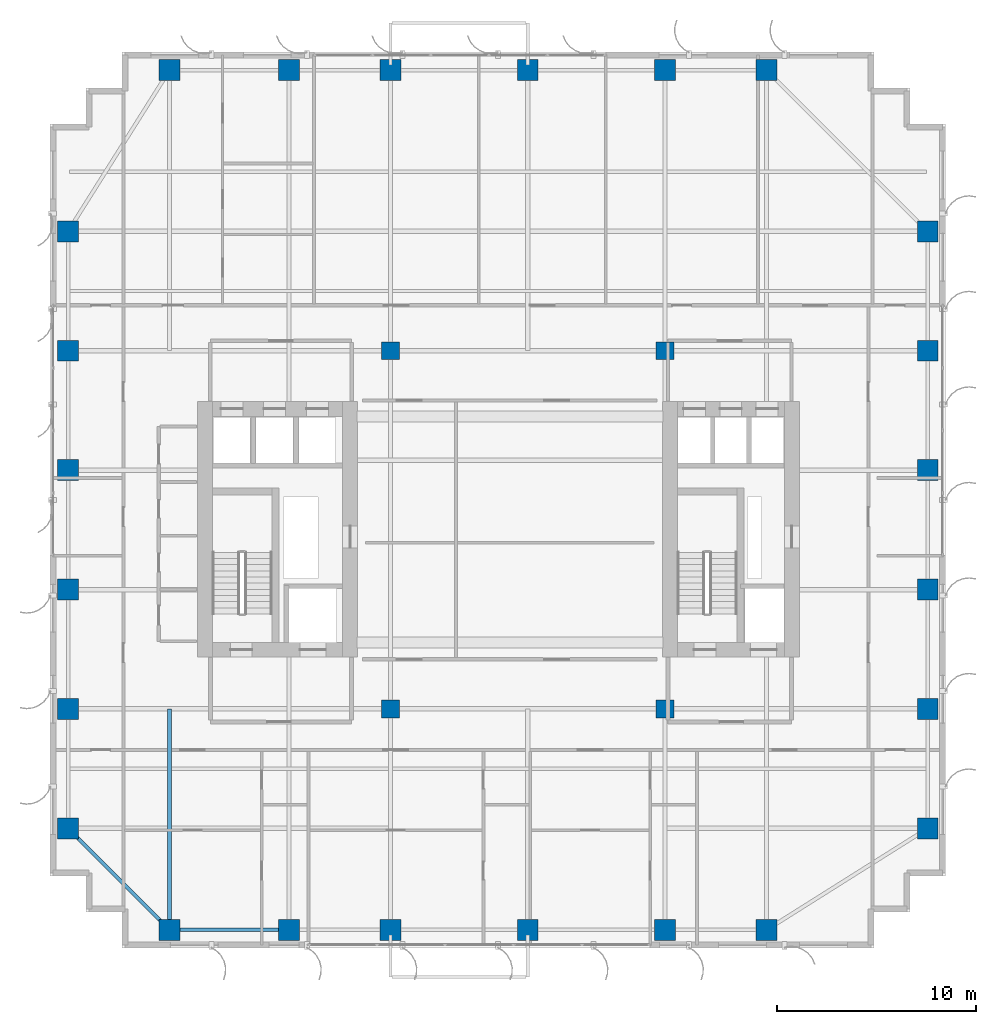
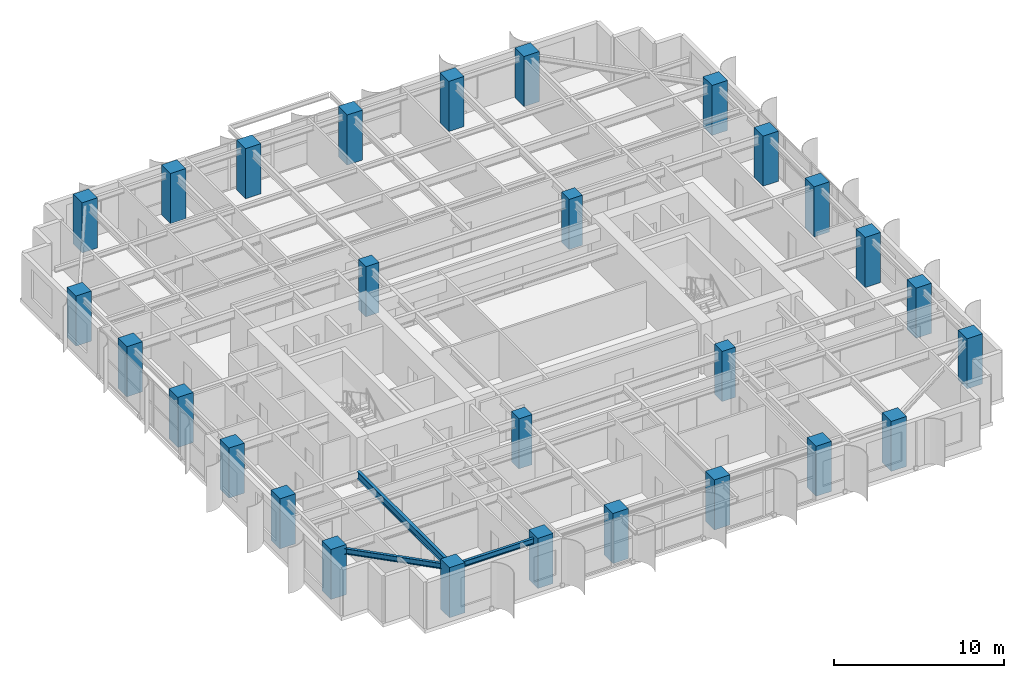
# One storey, part 1 of 27: 28 columns, 3 beams.
"""IFC4 building model written with IfcOpenShell, lengths in metres."""

from ifc_helpers import new_model, si_unit, direction, frame, origin, origin_2d, place, context, subcontext, project, spatial, rectangle, i_section, extrude, source, transform, mapped, material, material_profile, profile_set, type_object, element, save


model = new_model("IFC4")

# Units and contexts
model_context = context("Model", 3, precision=1e-05, world=origin(), true_north=direction((0.0, 1.0)))
body_context = subcontext(model_context, "Body", "Model", "MODEL_VIEW")
ifc_project = project(units=[si_unit("LENGTHUNIT", "METRE"), si_unit("AREAUNIT", "SQUARE_METRE"), si_unit("VOLUMEUNIT", "CUBIC_METRE"), si_unit("PLANEANGLEUNIT", "RADIAN"), si_unit("MASSUNIT", "GRAM", prefix="KILO")], contexts=[model_context])

# Site, building, storey
site_placement = place(None, origin())
site = spatial("IfcSite", under=ifc_project, at=site_placement, CompositionType="ELEMENT")
building_placement = place(site_placement, origin())
building = spatial("IfcBuilding", under=site, at=building_placement, Name="Khoralis Quay Care Tower", CompositionType="ELEMENT")
storey_placement = place(building_placement, frame((0.0, 0.0, 105.300048828125)))
storey = spatial("IfcBuildingStorey", under=building, at=storey_placement, Name="L27", CompositionType="ELEMENT", Elevation=105.300048828125)

# Columns
ifc_material_1 = material(Name="Concrete C65/80", Category="concrete")
ifc_material_profile_1 = material_profile(ifc_material_1, rectangle(XDim=1.050048828125, YDim=1.050048828125, at=origin_2d()), Name="Concrete C65/80")
ifc_profile_set_1 = profile_set([ifc_material_profile_1], Name="Concrete C65/80")
column_type_1 = type_object("IfcColumnType", Name="COL-C1050", PredefinedType="COLUMN", material=ifc_profile_set_1)
shared_shape_1 = source(origin(), body_context, "Body", "SweptSolid", [
    extrude(rectangle(XDim=1.050048828125, YDim=1.050048828125, at=origin_2d()), origin(), (0.0, 0.0, 1.0), 3.599853515625),
])
for number, where, z_axis, x_axis, name in (
    (1, (6.0, 0.89990234375, 0.0), (0.0, 0.0, 1.0), (1.0, 0.0, 0.0), "COL-TWR-L27-01"),
    (2, (6.0, 44.10009765625, 0.0), (0.0, 0.0, 1.0), (1.0, 0.0, 0.0), "COL-TWR-L27-02"),
    (3, (12.0, 0.89990234375, 0.0), (0.0, 0.0, 1.0), (1.0, 0.0, 0.0), "COL-TWR-L27-03"),
    (4, (12.0, 44.10009765625, 0.0), (0.0, 0.0, 1.0), (1.0, 0.0, 0.0), "COL-TWR-L27-04"),
    (5, (17.10009765625, 0.89990234375, 0.0), (0.0, 0.0, 1.0), (1.0, 0.0, 0.0), "COL-TWR-L27-05"),
    (6, (17.10009765625, 44.10009765625, 0.0), (0.0, 0.0, 1.0), (1.0, 0.0, 0.0), "COL-TWR-L27-06"),
    (7, (24.0, 0.89990234375, 0.0), (0.0, 0.0, 1.0), (1.0, 0.0, 0.0), "COL-TWR-L27-07"),
    (8, (24.0, 44.10009765625, 0.0), (0.0, 0.0, 1.0), (1.0, 0.0, 0.0), "COL-TWR-L27-08"),
    (9, (30.89990234375, 0.89990234375, 0.0), (0.0, 0.0, 1.0), (1.0, 0.0, 0.0), "COL-TWR-L27-09"),
    (10, (30.89990234375, 44.10009765625, 0.0), (0.0, 0.0, 1.0), (1.0, 0.0, 0.0), "COL-TWR-L27-10"),
    (11, (36.0, 0.89990234375, 0.0), (0.0, 0.0, 1.0), (1.0, 0.0, 0.0), "COL-TWR-L27-11"),
    (12, (36.0, 44.10009765625, 0.0), (0.0, 0.0, 1.0), (1.0, 0.0, 0.0), "COL-TWR-L27-12"),
    (13, (0.89990234375, 6.0, 0.0), (0.0, 0.0, 1.0), (1.0, 0.0, 0.0), "COL-TWR-L27-13"),
    (14, (44.10009765625, 6.0, 0.0), (0.0, 0.0, 1.0), (1.0, 0.0, 0.0), "COL-TWR-L27-14"),
    (15, (0.89990234375, 12.0, 0.0), (0.0, 0.0, 1.0), (1.0, 0.0, 0.0), "COL-TWR-L27-15"),
    (16, (44.10009765625, 12.0, 0.0), (0.0, 0.0, 1.0), (1.0, 0.0, 0.0), "COL-TWR-L27-16"),
    (17, (0.89990234375, 18.0, 0.0), (0.0, 0.0, 1.0), (1.0, 0.0, 0.0), "COL-TWR-L27-17"),
    (18, (44.10009765625, 18.0, 0.0), (0.0, 0.0, 1.0), (1.0, 0.0, 0.0), "COL-TWR-L27-18"),
    (19, (0.89990234375, 24.0, 0.0), (0.0, 0.0, 1.0), (1.0, 0.0, 0.0), "COL-TWR-L27-19"),
    (20, (44.10009765625, 24.0, 0.0), (0.0, 0.0, 1.0), (1.0, 0.0, 0.0), "COL-TWR-L27-20"),
    (21, (0.89990234375, 30.0, 0.0), (0.0, 0.0, 1.0), (1.0, 0.0, 0.0), "COL-TWR-L27-21"),
    (22, (44.10009765625, 30.0, 0.0), (0.0, 0.0, 1.0), (1.0, 0.0, 0.0), "COL-TWR-L27-22"),
    (23, (0.89990234375, 36.0, 0.0), (0.0, 0.0, 1.0), (1.0, 0.0, 0.0), "COL-TWR-L27-23"),
    (24, (44.10009765625, 36.0, 0.0), (0.0, 0.0, 1.0), (1.0, 0.0, 0.0), "COL-TWR-L27-24"),
):
    element("IfcColumn", number, at=place(storey_placement, frame(where, z_axis=z_axis, x_axis=x_axis)), inside=storey, type_object=column_type_1, Name=name, PredefinedType="COLUMN", context=body_context, shape_type="MappedRepresentation", body=[
        mapped(shared_shape_1, transform((0.0, 0.0, 0.0), scale=1.0)),
    ])
ifc_material_profile_2 = material_profile(ifc_material_1, rectangle(XDim=0.89990234375, YDim=0.89990234375, at=origin_2d()), Name="Concrete C65/80")
ifc_profile_set_2 = profile_set([ifc_material_profile_2], Name="Concrete C65/80")
column_type_2 = type_object("IfcColumnType", Name="COL-C900", PredefinedType="COLUMN", material=ifc_profile_set_2)
shared_shape_2 = source(origin(), body_context, "Body", "SweptSolid", [
    extrude(rectangle(XDim=0.89990234375, YDim=0.89990234375, at=origin_2d()), origin(), (0.0, 0.0, 1.0), 3.599853515625),
])
for number, where, z_axis, x_axis, name in (
    (25, (17.10009765625, 12.0, 0.0), (0.0, 0.0, 1.0), (1.0, 0.0, 0.0), "COL-TWR-L27-25"),
    (26, (17.10009765625, 30.0, 0.0), (0.0, 0.0, 1.0), (1.0, 0.0, 0.0), "COL-TWR-L27-26"),
    (27, (30.89990234375, 12.0, 0.0), (0.0, 0.0, 1.0), (1.0, 0.0, 0.0), "COL-TWR-L27-27"),
    (28, (30.89990234375, 30.0, 0.0), (0.0, 0.0, 1.0), (1.0, 0.0, 0.0), "COL-TWR-L27-28"),
):
    element("IfcColumn", number, at=place(storey_placement, frame(where, z_axis=z_axis, x_axis=x_axis)), inside=storey, type_object=column_type_2, Name=name, PredefinedType="COLUMN", context=body_context, shape_type="MappedRepresentation", body=[
        mapped(shared_shape_2, transform((0.0, 0.0, 0.0), scale=1.0)),
    ])

# Beams
ifc_material_2 = material(Name="Steel S355", Category="steel")
ifc_material_profile_3 = material_profile(ifc_material_2, i_section(OverallWidth=0.179931640625, OverallDepth=0.39990234375, WebThickness=0.008544921875, FlangeThickness=0.013427734375, FilletRadius=0.02099609375, at=origin_2d()), Name="Steel S355")
ifc_profile_set_3 = profile_set([ifc_material_profile_3], Name="Steel S355")
beam_type_1 = type_object("IfcBeamType", Name="BM-IPE400", PredefinedType="SPANDREL", material=ifc_profile_set_3)
shared_shape_3 = source(origin(), body_context, "Body", "SweptSolid", [
    extrude(i_section(OverallWidth=0.179931640625, OverallDepth=0.39990234375, WebThickness=0.008544921875, FlangeThickness=0.013427734375, FilletRadius=0.02099609375, at=origin_2d()), origin(), (0.0, 0.0, 1.0), 6.0),
])
beam_1_placement = place(storey_placement, frame((6.0, 0.89990234375, 3.139892578125), z_axis=(1.0, 0.0, 0.0), x_axis=(0.0, 1.0, 0.0)))
element("IfcBeam", 29, at=beam_1_placement, inside=storey, type_object=beam_type_1, Name="BM-TSP-L27-01", PredefinedType="SPANDREL", context=body_context, shape_type="MappedRepresentation", body=[
    mapped(shared_shape_3, transform((0.0, 0.0, 0.0), scale=1.0)),
])
shared_shape_4 = source(origin(), body_context, "Body", "SweptSolid", [
    extrude(i_section(OverallWidth=0.179931640625, OverallDepth=0.39990234375, WebThickness=0.008544921875, FlangeThickness=0.013427734375, FilletRadius=0.02099609375, at=origin_2d()), origin(), (0.0, 0.0, 1.0), 7.212646484375),
])
beam_2_placement = place(storey_placement, frame((6.0, 0.89990234375, 3.139892578125), z_axis=(-0.707106781187, 0.707106781187, 0.0), x_axis=(-0.707106781187, -0.707106781187, 0.0)))
element("IfcBeam", 30, at=beam_2_placement, inside=storey, type_object=beam_type_1, Name="BM-TCR-L27-21", PredefinedType="SPANDREL", context=body_context, shape_type="MappedRepresentation", body=[
    mapped(shared_shape_4, transform((0.0, 0.0, 0.0), scale=1.0)),
])
ifc_material_profile_4 = material_profile(ifc_material_2, i_section(OverallWidth=0.2119140625, OverallDepth=0.5439453125, WebThickness=0.01318359375, FlangeThickness=0.021240234375, FilletRadius=0.01611328125, at=origin_2d()), Name="Steel S355")
ifc_profile_set_4 = profile_set([ifc_material_profile_4], Name="Steel S355")
beam_type_2 = type_object("IfcBeamType", Name="BM-W530X123", PredefinedType="BEAM", material=ifc_profile_set_4)
shared_shape_5 = source(origin(), body_context, "Body", "SweptSolid", [
    extrude(i_section(OverallWidth=0.2119140625, OverallDepth=0.5439453125, WebThickness=0.01318359375, FlangeThickness=0.021240234375, FilletRadius=0.01611328125, at=origin_2d()), origin(), (0.0, 0.0, 1.0), 11.10009765625),
])
beam_3_placement = place(storey_placement, frame((6.0, 0.89990234375, 3.06787109375), z_axis=(0.0, 1.0, 0.0), x_axis=(-1.0, 0.0, 0.0)))
element("IfcBeam", 31, at=beam_3_placement, inside=storey, type_object=beam_type_2, Name="BM-TGYS-L27-60", PredefinedType="BEAM", context=body_context, shape_type="MappedRepresentation", body=[
    mapped(shared_shape_5, transform((0.0, 0.0, 0.0), scale=1.0)),
])

save(model, "model.ifc")
